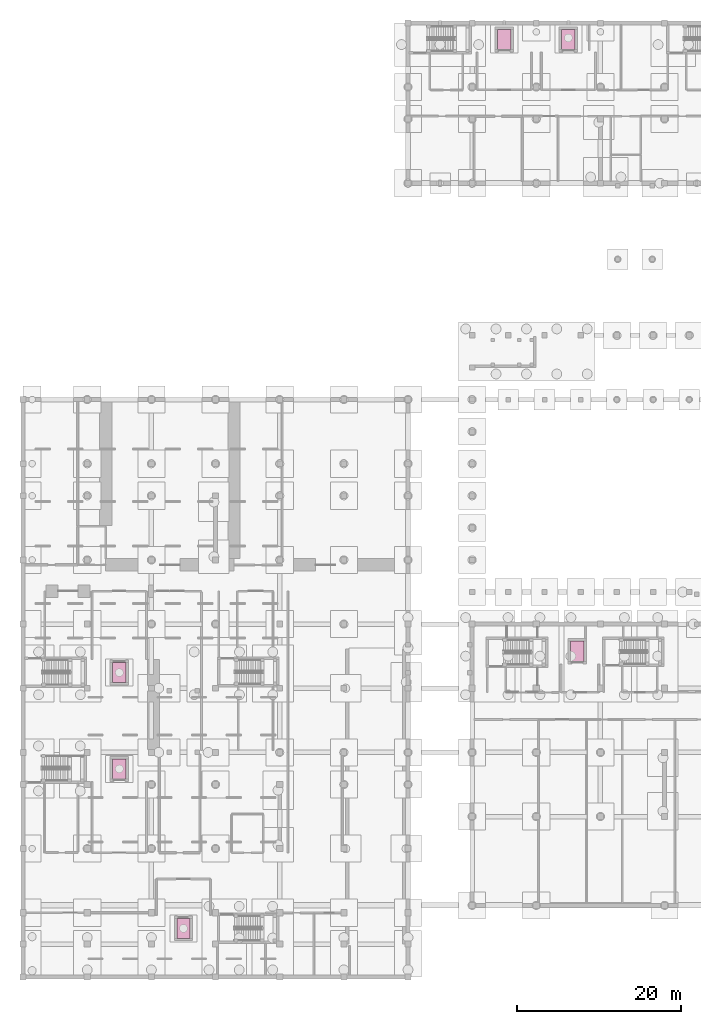
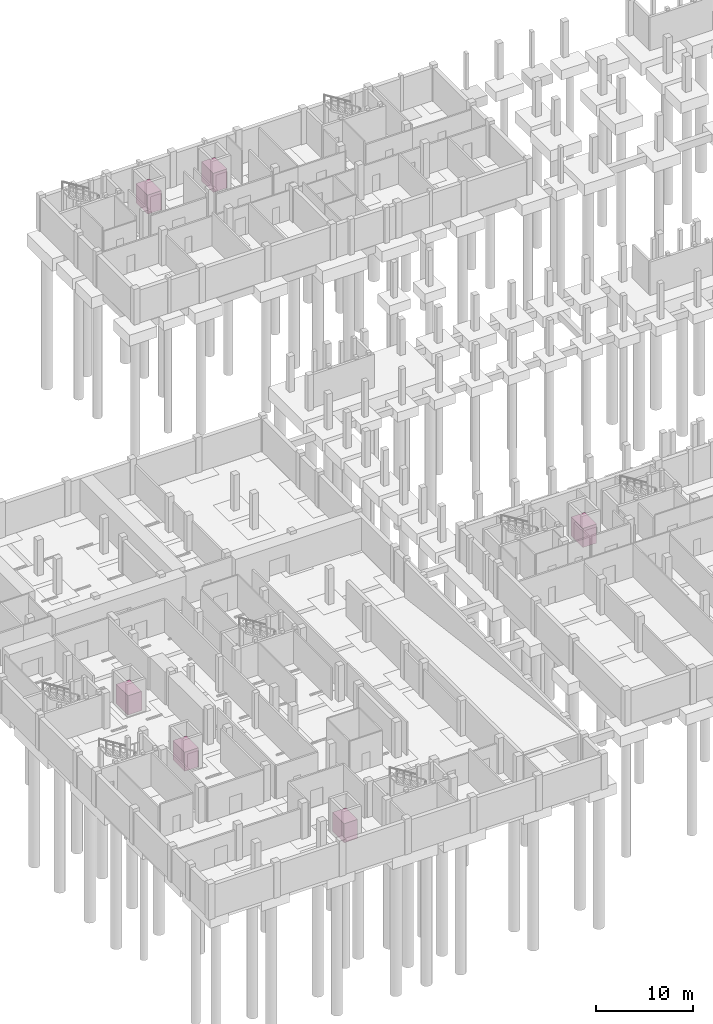
# One storey, part 24 of 24: 6 transport elements.
"""IFC4 building model written with IfcOpenShell, lengths in metres."""

from ifc_helpers import new_model, si_unit, direction, frame, origin, origin_2d, place, context, subcontext, project, spatial, rectangle, extrude, material, type_object, element, save


model = new_model("IFC4")

# Units and contexts
model_context = context("Model", 3, precision=1e-05, world=origin(), true_north=direction((0.0, 1.0)))
body_context = subcontext(model_context, "Body", "Model", "MODEL_VIEW")
ifc_project = project(units=[si_unit("LENGTHUNIT", "METRE"), si_unit("AREAUNIT", "SQUARE_METRE"), si_unit("VOLUMEUNIT", "CUBIC_METRE"), si_unit("PLANEANGLEUNIT", "RADIAN"), si_unit("MASSUNIT", "GRAM", prefix="KILO")], contexts=[model_context])

# Site, building, storey
site_placement = place(None, origin())
site = spatial("IfcSite", under=ifc_project, at=site_placement, CompositionType="ELEMENT")
building_placement = place(site_placement, origin())
building = spatial("IfcBuilding", under=site, at=building_placement, Name="Celorna Specialist Clinic", CompositionType="ELEMENT")
storey_placement = place(building_placement, frame((0.0, 0.0, -4.5)))
storey = spatial("IfcBuildingStorey", under=building, at=storey_placement, Name="B01", CompositionType="ELEMENT", Elevation=-4.5)

# Transport elements
ifc_material_1 = material(Name="Stainless steel firefighting stretcher elevator car", Category="steel")
transport_element_type_1 = type_object("IfcTransportElementType", Name="LFT-01", PredefinedType="ELEVATOR", material=ifc_material_1)
for number, where, z_axis, x_axis, name in (
    (1, (58.5, 114.0, 0.0), (0.0, 0.0, 1.0), (1.0, 0.0, 0.0), "Firefighting stretcher lift LF-01"),
    (2, (66.300048828125, 114.0, 0.0), (0.0, 0.0, 1.0), (1.0, 0.0, 0.0), "Firefighting stretcher lift LF-02"),
    (3, (11.699951171875, 25.300048828125, 0.0), (0.0, 0.0, 1.0), (1.0, 0.0, 0.0), "Firefighting stretcher lift LF-04"),
    (4, (67.39990234375, 39.60009765625, 0.0), (0.0, 0.0, 1.0), (1.0, 0.0, 0.0), "Firefighting stretcher lift LF-07"),
):
    element("IfcTransportElement", number, at=place(storey_placement, frame(where, z_axis=z_axis, x_axis=x_axis)), inside=storey, type_object=transport_element_type_1, Name=name, PredefinedType="ELEVATOR", context=body_context, shape_type="SweptSolid", body=[
        extrude(rectangle(XDim=1.64990234375, YDim=2.449951171875, at=origin_2d()), origin(), (0.0, 0.0, 1.0), 2.39990234375),
    ])
ifc_material_2 = material(Name="Stainless steel clinical stretcher elevator car", Category="steel")
transport_element_type_2 = type_object("IfcTransportElementType", Name="LFT-02", PredefinedType="ELEVATOR", material=ifc_material_2)
transport_element_1_placement = place(storey_placement, frame((19.5, 5.89990234375, 0.0), z_axis=(0.0, 0.0, 1.0), x_axis=(1.0, 0.0, 0.0)))
element("IfcTransportElement", 5, at=transport_element_1_placement, inside=storey, type_object=transport_element_type_2, Name="Clinical lift LF-05", PredefinedType="ELEVATOR", context=body_context, shape_type="SweptSolid", body=[
    extrude(rectangle(XDim=1.60009765625, YDim=2.39990234375, at=origin_2d()), origin(), (0.0, 0.0, 1.0), 2.39990234375),
])
ifc_material_3 = material(Name="Stainless steel bariatric and imaging stretcher elevator car", Category="steel")
transport_element_type_3 = type_object("IfcTransportElementType", Name="LFT-03", PredefinedType="ELEVATOR", material=ifc_material_3)
transport_element_2_placement = place(storey_placement, frame((11.699951171875, 37.0, 0.0), z_axis=(0.0, 0.0, 1.0), x_axis=(1.0, 0.0, 0.0)))
element("IfcTransportElement", 6, at=transport_element_2_placement, inside=storey, type_object=transport_element_type_3, Name="Clinical lift LF-06", PredefinedType="ELEVATOR", context=body_context, shape_type="SweptSolid", body=[
    extrude(rectangle(XDim=1.64990234375, YDim=2.449951171875, at=origin_2d()), origin(), (0.0, 0.0, 1.0), 2.39990234375),
])

save(model, "model.ifc")
